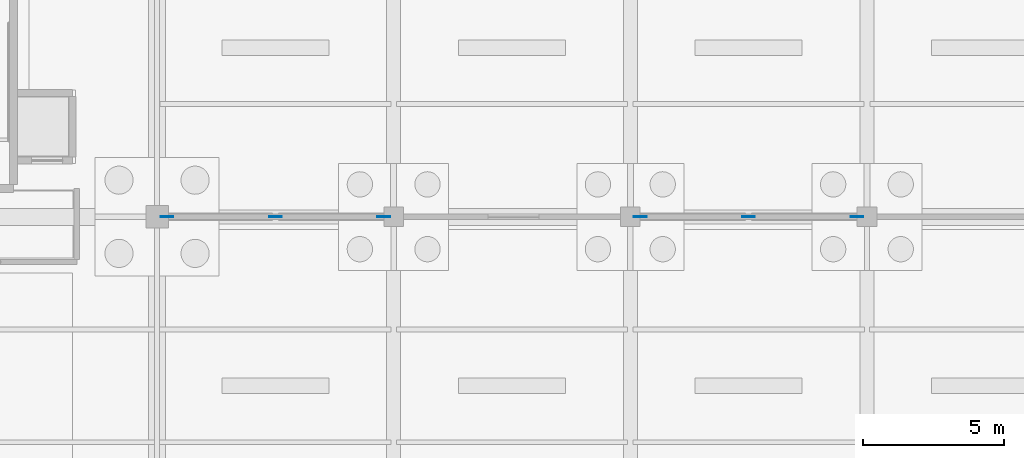
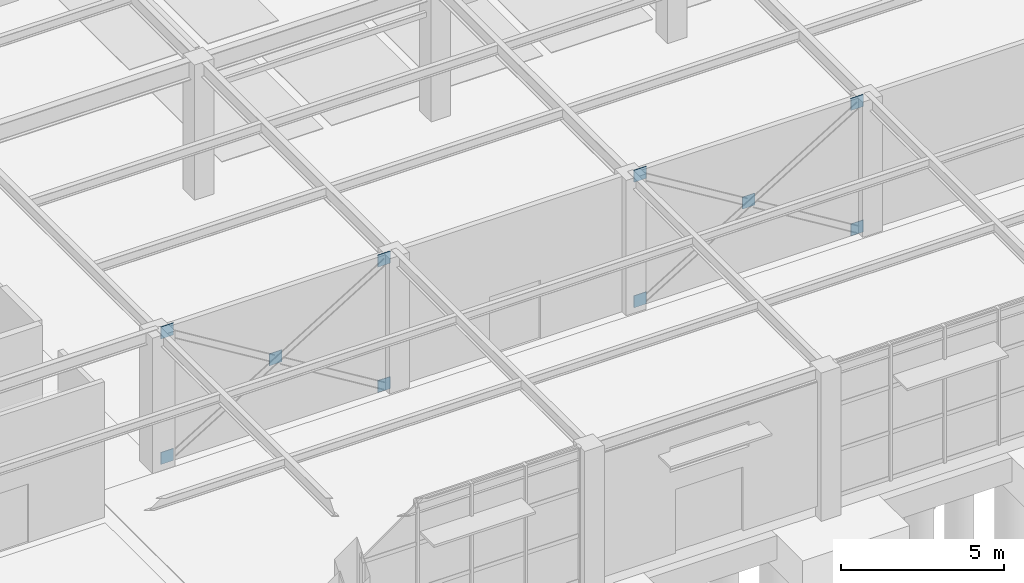
# One storey, part 95 of 129: 10 plates.
"""IFC4 building model written with IfcOpenShell, lengths in metres."""

from ifc_helpers import new_model, si_unit, direction, frame, origin, origin_2d, place, context, subcontext, project, spatial, rectangle, extrude, material, layer, layer_set, type_object, element, save


model = new_model("IFC4")

# Units and contexts
model_context = context("Model", 3, precision=1e-05, world=origin(), true_north=direction((0.0, 1.0)))
body_context = subcontext(model_context, "Body", "Model", "MODEL_VIEW")
ifc_project = project(units=[si_unit("LENGTHUNIT", "METRE"), si_unit("AREAUNIT", "SQUARE_METRE"), si_unit("VOLUMEUNIT", "CUBIC_METRE"), si_unit("PLANEANGLEUNIT", "RADIAN"), si_unit("MASSUNIT", "GRAM", prefix="KILO")], contexts=[model_context])

# Site, building, storey
site_placement = place(None, origin())
site = spatial("IfcSite", under=ifc_project, at=site_placement, CompositionType="ELEMENT")
building_placement = place(site_placement, origin())
building = spatial("IfcBuilding", under=site, at=building_placement, Name="Sitalva Quay Ferry Terminal", CompositionType="ELEMENT")
storey_placement = place(building_placement, origin())
storey = spatial("IfcBuildingStorey", under=building, at=storey_placement, Name="L01", CompositionType="ELEMENT", Elevation=0.0)

# Plates
ifc_material = material(Name="Structural Steel S355JR", Category="steel")
ifc_layer = layer(ifc_material, 0.02392578125)
ifc_layer_set = layer_set([ifc_layer], Name="Structural Steel S355JR")
plate_type = type_object("IfcPlateType", Name="Gusset_450x450x24", PredefinedType="USERDEFINED", material=ifc_layer_set)
for number, where, z_axis, x_axis, name in (
    (1, (88.199951171875, 18.0, 2.27978515625), (0.0, 0.0, 1.0), (1.0, 0.0, 0.0), "Braced frame BF7 L01 XNODE gusset"),
    (2, (84.35009765625, 18.0, -0.0751953125), (0.0, 0.0, 1.0), (1.0, 0.0, 0.0), "Braced frame BF7 L01 SW gusset"),
    (3, (84.35009765625, 18.0, 4.63525390625), (0.0, 0.0, 1.0), (1.0, 0.0, 0.0), "Braced frame BF7 L01 NW gusset"),
    (4, (92.050048828125, 18.0, -0.0751953125), (0.0, 0.0, 1.0), (1.0, 0.0, 0.0), "Braced frame BF7 L01 SE gusset"),
    (5, (92.050048828125, 18.0, 4.63525390625), (0.0, 0.0, 1.0), (1.0, 0.0, 0.0), "Braced frame BF7 L01 NE gusset"),
    (6, (105.0, 18.0, 2.27978515625), (0.0, 0.0, 1.0), (1.0, 0.0, 0.0), "Braced frame BF8 L01 XNODE gusset"),
    (7, (101.14990234375, 18.0, -0.0751953125), (0.0, 0.0, 1.0), (1.0, 0.0, 0.0), "Braced frame BF8 L01 SW gusset"),
    (8, (101.14990234375, 18.0, 4.63525390625), (0.0, 0.0, 1.0), (1.0, 0.0, 0.0), "Braced frame BF8 L01 NW gusset"),
    (9, (108.85009765625, 18.0, -0.0751953125), (0.0, 0.0, 1.0), (1.0, 0.0, 0.0), "Braced frame BF8 L01 SE gusset"),
    (10, (108.85009765625, 18.0, 4.63525390625), (0.0, 0.0, 1.0), (1.0, 0.0, 0.0), "Braced frame BF8 L01 NE gusset"),
):
    element("IfcPlate", number, at=place(storey_placement, frame(where, z_axis=z_axis, x_axis=x_axis)), inside=storey, type_object=plate_type, Name=name, ObjectType="FLANGE_PLATE", PredefinedType="USERDEFINED", context=body_context, shape_type="SweptSolid", body=[
        extrude(rectangle(XDim=0.449951171875, YDim=0.02392578125, at=origin_2d()), origin(), (0.0, 0.0, 1.0), 0.449951171875),
    ])

save(model, "model.ifc")
